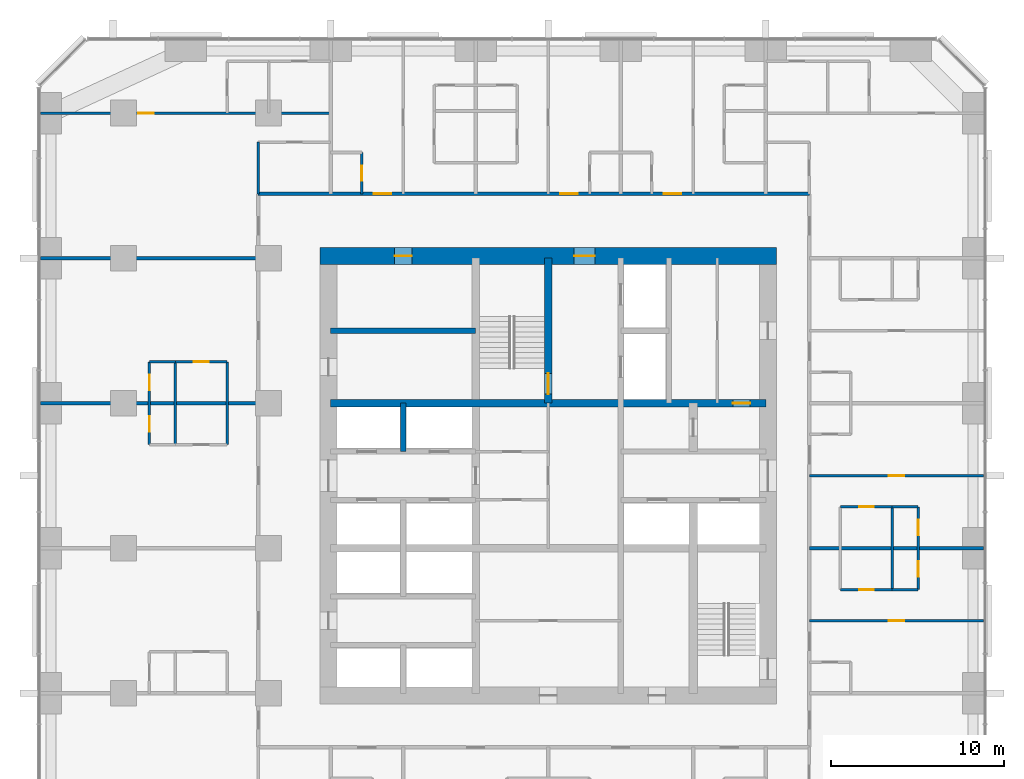
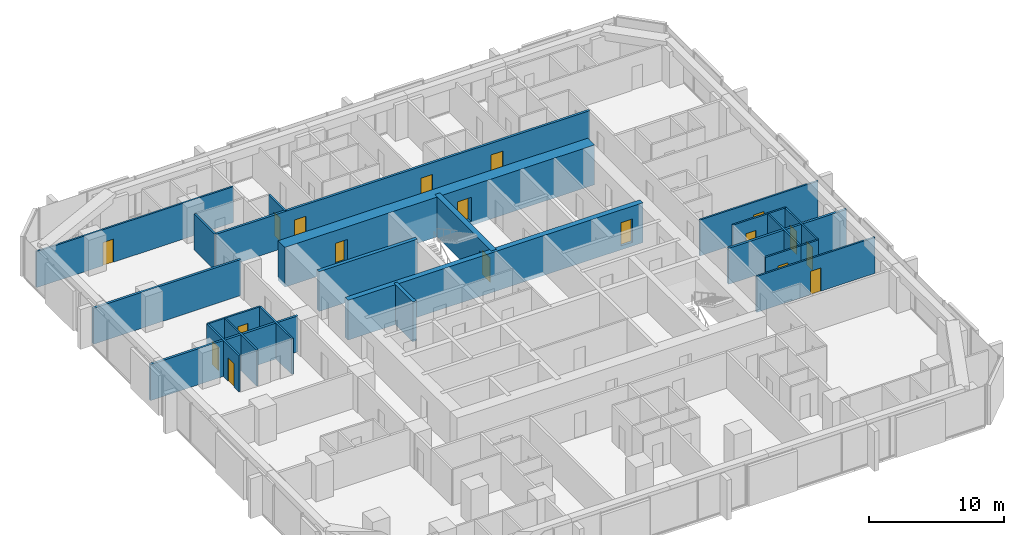
# One storey, part 11 of 14: 25 walls, 18 doors, 18 openings.
"""IFC4 building model written with IfcOpenShell, lengths in metres."""

from ifc_helpers import new_model, si_unit, direction, frame, frame_2d, origin, place, context, subcontext, project, spatial, rectangle, extrude, material, layer, layer_set, type_object, element, fill, save


model = new_model("IFC4")

# Units and contexts
model_context = context("Model", 3, precision=1e-05, world=origin(), true_north=direction((0.0, 1.0)))
body_context = subcontext(model_context, "Body", "Model", "MODEL_VIEW")
ifc_project = project(units=[si_unit("LENGTHUNIT", "METRE"), si_unit("AREAUNIT", "SQUARE_METRE"), si_unit("VOLUMEUNIT", "CUBIC_METRE"), si_unit("PLANEANGLEUNIT", "RADIAN"), si_unit("MASSUNIT", "GRAM", prefix="KILO")], contexts=[model_context])

# Site, building, storey
site_placement = place(None, origin())
site = spatial("IfcSite", under=ifc_project, at=site_placement, CompositionType="ELEMENT")
building_placement = place(site_placement, origin())
building = spatial("IfcBuilding", under=site, at=building_placement, Name="Dunama Terrace Hotel", CompositionType="ELEMENT")
storey_placement = place(building_placement, frame((0.0, 0.0, 122.39990234375)))
storey = spatial("IfcBuildingStorey", under=building, at=storey_placement, Name="L31", CompositionType="ELEMENT", Elevation=122.39990234375)

# Walls
ifc_material_1 = material(Name="Gypsum board partition", Category="masonry")
ifc_layer_1 = layer(ifc_material_1, 0.14990234375)
ifc_layer_set_1 = layer_set([ifc_layer_1], Name="Bathroom partition 150")
wall_type_1 = type_object("IfcWallType", Name="Bathroom partition 150", PredefinedType="PARTITIONING", material=ifc_layer_set_1)
wall_1_placement = place(storey_placement, frame((10.800048828125, 31.199951171875, 0.0), z_axis=(0.0, 0.0, 1.0), x_axis=(0.0, 1.0, 0.0)))
element("IfcWall", 1, at=wall_1_placement, inside=storey, type_object=wall_type_1, Name="Bathroom partition 150 L31", PredefinedType="PARTITIONING", context=body_context, shape_type="SweptSolid", body=[
    extrude(rectangle(XDim=4.800048828125, YDim=0.14990234375, at=frame_2d((2.39990234375, 0.0))), origin(), (0.0, 0.0, 1.0), 3.25),
])
wall_2_placement = place(storey_placement, frame((12.60009765625, 45.72509765625, 0.0), z_axis=(0.0, 0.0, 1.0), x_axis=(0.0, 1.0, 0.0)))
element("IfcWall", 2, at=wall_2_placement, inside=storey, type_object=wall_type_1, Name="Bathroom partition 150 L31", PredefinedType="PARTITIONING", context=body_context, shape_type="SweptSolid", body=[
    extrude(rectangle(XDim=3.0, YDim=0.14990234375, at=frame_2d((1.5, 0.0))), origin(), (0.0, 0.0, 1.0), 3.25),
])

# Wall, opening, door
wall_3_placement = place(storey_placement, frame((18.60009765625, 45.72509765625, 0.0), z_axis=(0.0, 0.0, 1.0), x_axis=(0.0, 1.0, 0.0)))
wall_3 = element("IfcWall", 3, at=wall_3_placement, inside=storey, type_object=wall_type_1, Name="Bathroom partition 150 L31", PredefinedType="PARTITIONING", context=body_context, shape_type="SweptSolid", body=[
    extrude(rectangle(XDim=2.39990234375, YDim=0.14990234375, at=frame_2d((1.199951171875, 0.0))), origin(), (0.0, 0.0, 1.0), 3.25),
])
opening_1_placement = place(wall_3_placement, frame((0.77490234375, 0.0, 0.0)))
opening_1 = element("IfcOpeningElement", 4, at=opening_1_placement, cuts=wall_3, Name="Opening L31-33-039", PredefinedType="OPENING", context=body_context, shape_type="SweptSolid", body=[
    extrude(rectangle(XDim=0.85009765625, YDim=2.10009765625, at=frame_2d((0.425048828125, 1.050048828125))), frame((0.0, 0.0849609375, 0.0), z_axis=(0.0, -1.0, 0.0), x_axis=(1.0, 0.0, 0.0)), (0.0, 0.0, 1.0), 0.169921875),
])
ifc_material_2 = material(Name="Timber door with steel frame", Category="steel")
door_type_1 = type_object("IfcDoorType", Name="Bathroom door 850", OperationType="SINGLE_SWING_LEFT", PredefinedType="DOOR", material=ifc_material_2)
door_1_placement = place(opening_1_placement, origin())
door_1 = element("IfcDoor", 5, at=door_1_placement, inside=storey, type_object=door_type_1, Name="Door to powder room L31-33-039, type D2", OperationType="SINGLE_SWING_LEFT", OverallHeight=2.10009765625, OverallWidth=0.85009765625, PredefinedType="DOOR", context=body_context, shape_type="SweptSolid", body=[
    extrude(rectangle(XDim=0.85009765625, YDim=2.10009765625, at=frame_2d((0.425048828125, 1.050048828125))), frame((0.0, 0.02490234375, 0.0), z_axis=(0.0, -1.0, 0.0), x_axis=(1.0, 0.0, 0.0)), (0.0, 0.0, 1.0), 0.050048828125),
])
fill(opening_1, door_1)

wall_4_placement = place(storey_placement, frame((46.324951171875, 22.800048828125, 0.0), z_axis=(0.0, 0.0, 1.0), x_axis=(1.0, 0.0, 0.0)))
wall_4 = element("IfcWall", 6, at=wall_4_placement, inside=storey, type_object=wall_type_1, Name="Bathroom partition 150 L31", PredefinedType="PARTITIONING", context=body_context, shape_type="SweptSolid", body=[
    extrude(rectangle(XDim=3.0, YDim=0.14990234375, at=frame_2d((1.5, 0.0))), origin(), (0.0, 0.0, 1.0), 3.25),
])
opening_2_placement = place(wall_4_placement, frame((1.074951171875, 0.0, 0.0)))
opening_2 = element("IfcOpeningElement", 7, at=opening_2_placement, cuts=wall_4, Name="Opening L31-33-026", PredefinedType="OPENING", context=body_context, shape_type="SweptSolid", body=[
    extrude(rectangle(XDim=0.85009765625, YDim=2.10009765625, at=frame_2d((0.425048828125, 1.050048828125))), frame((0.0, 0.0849609375, 0.0), z_axis=(0.0, -1.0, 0.0), x_axis=(1.0, 0.0, 0.0)), (0.0, 0.0, 1.0), 0.169921875),
])
door_2_placement = place(opening_2_placement, origin())
door_2 = element("IfcDoor", 8, at=door_2_placement, inside=storey, type_object=door_type_1, Name="Door to en-suite bathroom L31-33-026, type D2", OperationType="SINGLE_SWING_RIGHT", OverallHeight=2.10009765625, OverallWidth=0.85009765625, PredefinedType="DOOR", context=body_context, shape_type="SweptSolid", body=[
    extrude(rectangle(XDim=0.85009765625, YDim=2.10009765625, at=frame_2d((0.425048828125, 1.050048828125))), frame((0.0, 0.02490234375, 0.0), z_axis=(0.0, -1.0, 0.0), x_axis=(1.0, 0.0, 0.0)), (0.0, 0.0, 1.0), 0.050048828125),
])
fill(opening_2, door_2)

wall_5_placement = place(storey_placement, frame((46.324951171875, 27.60009765625, 0.0), z_axis=(0.0, 0.0, 1.0), x_axis=(1.0, 0.0, 0.0)))
wall_5 = element("IfcWall", 9, at=wall_5_placement, inside=storey, type_object=wall_type_1, Name="Bathroom partition 150 L31", PredefinedType="PARTITIONING", context=body_context, shape_type="SweptSolid", body=[
    extrude(rectangle(XDim=3.0, YDim=0.14990234375, at=frame_2d((1.5, 0.0))), origin(), (0.0, 0.0, 1.0), 3.25),
])
opening_3_placement = place(wall_5_placement, frame((1.074951171875, 0.0, 0.0)))
opening_3 = element("IfcOpeningElement", 10, at=opening_3_placement, cuts=wall_5, Name="Opening L31-33-031", PredefinedType="OPENING", context=body_context, shape_type="SweptSolid", body=[
    extrude(rectangle(XDim=0.85009765625, YDim=2.10009765625, at=frame_2d((0.425048828125, 1.050048828125))), frame((0.0, 0.0849609375, 0.0), z_axis=(0.0, -1.0, 0.0), x_axis=(1.0, 0.0, 0.0)), (0.0, 0.0, 1.0), 0.169921875),
])
door_3_placement = place(opening_3_placement, frame((0.85009765625, 0.0, 0.0), z_axis=(0.0, 0.0, 1.0), x_axis=(-1.0, 0.0, 0.0)))
door_3 = element("IfcDoor", 11, at=door_3_placement, inside=storey, type_object=door_type_1, Name="Door to en-suite bathroom L31-33-031, type D2", OperationType="SINGLE_SWING_LEFT", OverallHeight=2.10009765625, OverallWidth=0.85009765625, PredefinedType="DOOR", context=body_context, shape_type="SweptSolid", body=[
    extrude(rectangle(XDim=0.85009765625, YDim=2.10009765625, at=frame_2d((0.425048828125, 1.050048828125))), frame((0.0, 0.025146484375, 0.0), z_axis=(0.0, -1.0, 0.0), x_axis=(1.0, 0.0, 0.0)), (0.0, 0.0, 1.0), 0.050048828125),
])
fill(opening_3, door_3)

wall_6_placement = place(storey_placement, frame((7.800048828125, 36.0, 0.0), z_axis=(0.0, 0.0, 1.0), x_axis=(1.0, 0.0, 0.0)))
wall_6 = element("IfcWall", 12, at=wall_6_placement, inside=storey, type_object=wall_type_1, Name="Bathroom partition 150 L31", PredefinedType="PARTITIONING", context=body_context, shape_type="SweptSolid", body=[
    extrude(rectangle(XDim=3.0, YDim=0.14990234375, at=frame_2d((1.5, 0.0))), origin(), (0.0, 0.0, 1.0), 3.25),
])
opening_4_placement = place(wall_6_placement, frame((1.074951171875, 0.0, 0.0)))
opening_4 = element("IfcOpeningElement", 13, at=opening_4_placement, cuts=wall_6, Name="Opening L31-33-060", PredefinedType="OPENING", context=body_context, shape_type="SweptSolid", body=[
    extrude(rectangle(XDim=0.85009765625, YDim=2.10009765625, at=frame_2d((0.425048828125, 1.050048828125))), frame((0.0, 0.0849609375, 0.0), z_axis=(0.0, -1.0, 0.0), x_axis=(1.0, 0.0, 0.0)), (0.0, 0.0, 1.0), 0.169921875),
])
door_4_placement = place(opening_4_placement, frame((0.85009765625, 0.0, 0.0), z_axis=(0.0, 0.0, 1.0), x_axis=(-1.0, 0.0, 0.0)))
door_4 = element("IfcDoor", 14, at=door_4_placement, inside=storey, type_object=door_type_1, Name="Door to en-suite bathroom L31-33-060, type D2", OperationType="SINGLE_SWING_RIGHT", OverallHeight=2.10009765625, OverallWidth=0.85009765625, PredefinedType="DOOR", context=body_context, shape_type="SweptSolid", body=[
    extrude(rectangle(XDim=0.85009765625, YDim=2.10009765625, at=frame_2d((0.425048828125, 1.050048828125))), frame((0.0, 0.025146484375, 0.0), z_axis=(0.0, -1.0, 0.0), x_axis=(1.0, 0.0, 0.0)), (0.0, 0.0, 1.0), 0.050048828125),
])
fill(opening_4, door_4)

# Walls
ifc_material_3 = material(Name="Concrete C50/60", Category="concrete")
ifc_layer_2 = layer(ifc_material_3, 0.300048828125)
ifc_layer_set_2 = layer_set([ifc_layer_2], Name="Core inner wall 300")
wall_type_2 = type_object("IfcWallType", Name="Core inner wall 300", PredefinedType="SHEAR", material=ifc_layer_set_2)
wall_7_placement = place(storey_placement, frame((21.0, 30.800048828125, -0.349853515625), z_axis=(0.0, 0.0, 1.0), x_axis=(0.0, 1.0, 0.0)))
element("IfcWall", 15, at=wall_7_placement, inside=storey, type_object=wall_type_2, Name="Core inner wall 300 L31", PredefinedType="SHEAR", context=body_context, shape_type="SweptSolid", body=[
    extrude(rectangle(XDim=2.800048828125, YDim=0.300048828125, at=frame_2d((1.39990234375, 0.0))), origin(), (0.0, 0.0, 1.0), 3.599853515625),
])
wall_8_placement = place(storey_placement, frame((16.800048828125, 37.800048828125, -0.349853515625), z_axis=(0.0, 0.0, 1.0), x_axis=(1.0, 0.0, 0.0)))
element("IfcWall", 16, at=wall_8_placement, inside=storey, type_object=wall_type_2, Name="Core inner wall 300 L31", PredefinedType="SHEAR", context=body_context, shape_type="SweptSolid", body=[
    extrude(rectangle(XDim=8.39990234375, YDim=0.300048828125, at=frame_2d((4.199951171875, 0.0))), origin(), (0.0, 0.0, 1.0), 3.599853515625),
])

# Wall, opening, door
ifc_material_4 = material(Name="Concrete C50/60", Category="concrete")
ifc_layer_3 = layer(ifc_material_4, 0.449951171875)
ifc_layer_set_3 = layer_set([ifc_layer_3], Name="Core inner wall 450")
wall_type_3 = type_object("IfcWallType", Name="Core inner wall 450", PredefinedType="SHEAR", material=ifc_layer_set_3)
wall_9_placement = place(storey_placement, frame((29.39990234375, 33.60009765625, -0.349853515625), z_axis=(0.0, 0.0, 1.0), x_axis=(0.0, 1.0, 0.0)))
wall_9 = element("IfcWall", 17, at=wall_9_placement, inside=storey, type_object=wall_type_3, Name="Core inner wall 450 L31", PredefinedType="SHEAR", context=body_context, shape_type="SweptSolid", body=[
    extrude(rectangle(XDim=8.39990234375, YDim=0.449951171875, at=frame_2d((4.199951171875, 0.0))), origin(), (0.0, 0.0, 1.0), 3.599853515625),
])
opening_5_placement = place(wall_9_placement, frame((0.52490234375, 0.0, 0.35009765625)))
opening_5 = element("IfcOpeningElement", 18, at=opening_5_placement, cuts=wall_9, Name="Opening L31-33-001", PredefinedType="OPENING", context=body_context, shape_type="SweptSolid", body=[
    extrude(rectangle(XDim=1.199951171875, YDim=2.199951171875, at=frame_2d((0.60009765625, 1.10009765625))), frame((0.0, 0.23486328125, 0.0), z_axis=(0.0, -1.0, 0.0), x_axis=(1.0, 0.0, 0.0)), (0.0, 0.0, 1.0), 0.469970703125),
])
ifc_material_5 = material(Name="Timber door with steel frame", Category="steel")
door_type_2 = type_object("IfcDoorType", Name="Stair door 1200", OperationType="SINGLE_SWING_LEFT", PredefinedType="DOOR", material=ifc_material_5)
door_5_placement = place(opening_5_placement, origin())
door_5 = element("IfcDoor", 19, at=door_5_placement, inside=storey, type_object=door_type_2, Name="Stair door ST1 L31-33-001, type D5", OperationType="SINGLE_SWING_LEFT", OverallHeight=2.199951171875, OverallWidth=1.199951171875, PredefinedType="DOOR", context=body_context, shape_type="SweptSolid", body=[
    extrude(rectangle(XDim=1.199951171875, YDim=2.199951171875, at=frame_2d((0.60009765625, 1.10009765625))), frame((0.0, 0.02490234375, 0.0), z_axis=(0.0, -1.0, 0.0), x_axis=(1.0, 0.0, 0.0)), (0.0, 0.0, 1.0), 0.050048828125),
])
fill(opening_5, door_5)

wall_10_placement = place(storey_placement, frame((16.800048828125, 33.60009765625, -0.349853515625), z_axis=(0.0, 0.0, 1.0), x_axis=(1.0, 0.0, 0.0)))
wall_10 = element("IfcWall", 20, at=wall_10_placement, inside=storey, type_object=wall_type_3, Name="Core inner wall 450 L31", PredefinedType="SHEAR", context=body_context, shape_type="SweptSolid", body=[
    extrude(rectangle(XDim=25.199951171875, YDim=0.449951171875, at=frame_2d((12.60009765625, 0.0))), origin(), (0.0, 0.0, 1.0), 3.599853515625),
])
opening_6_placement = place(wall_10_placement, frame((23.300048828125, 0.0, 0.35009765625)))
opening_6 = element("IfcOpeningElement", 21, at=opening_6_placement, cuts=wall_10, Name="Opening L31-33-091", PredefinedType="OPENING", context=body_context, shape_type="SweptSolid", body=[
    extrude(rectangle(XDim=1.0, YDim=2.10009765625, at=frame_2d((0.5, 1.050048828125))), frame((0.0, 0.23486328125, 0.0), z_axis=(0.0, -1.0, 0.0), x_axis=(1.0, 0.0, 0.0)), (0.0, 0.0, 1.0), 0.469970703125),
])
ifc_material_6 = material(Name="Timber door with steel frame", Category="steel")
door_type_3 = type_object("IfcDoorType", Name="Service door 1000", OperationType="SINGLE_SWING_LEFT", PredefinedType="DOOR", material=ifc_material_6)
door_6_placement = place(opening_6_placement, frame((1.0, 0.0, 0.0), z_axis=(0.0, 0.0, 1.0), x_axis=(-1.0, 0.0, 0.0)))
door_6 = element("IfcDoor", 22, at=door_6_placement, inside=storey, type_object=door_type_3, Name="Door to housekeeping and linen store L31-33-091, type D7", OperationType="SINGLE_SWING_LEFT", OverallHeight=2.10009765625, OverallWidth=1.0, PredefinedType="DOOR", context=body_context, shape_type="SweptSolid", body=[
    extrude(rectangle(XDim=1.0, YDim=2.10009765625, at=frame_2d((0.5, 1.050048828125))), frame((0.0, 0.025146484375, 0.0), z_axis=(0.0, -1.0, 0.0), x_axis=(1.0, 0.0, 0.0)), (0.0, 0.0, 1.0), 0.050048828125),
])
fill(opening_6, door_6)

# Wall, openings, doors
ifc_material_7 = material(Name="Concrete C60/75", Category="concrete")
ifc_layer_4 = layer(ifc_material_7, 1.0)
ifc_layer_set_4 = layer_set([ifc_layer_4], Name="Core wall 1000")
wall_type_4 = type_object("IfcWallType", Name="Core wall 1000", PredefinedType="SHEAR", material=ifc_layer_set_4)
wall_11_placement = place(storey_placement, frame((42.625, 42.125, -0.349853515625), z_axis=(0.0, 0.0, 1.0), x_axis=(-1.0, 0.0, 0.0)))
wall_11 = element("IfcWall", 23, at=wall_11_placement, inside=storey, type_object=wall_type_4, Name="Core wall north L31", PredefinedType="SHEAR", context=body_context, shape_type="SweptSolid", body=[
    extrude(rectangle(XDim=26.449951171875, YDim=1.0, at=frame_2d((13.22509765625, 0.0))), origin(), (0.0, 0.0, 1.0), 3.599853515625),
])
opening_7_placement = place(wall_11_placement, frame((21.125, 0.0, 0.35009765625)))
opening_7 = element("IfcOpeningElement", 24, at=opening_7_placement, cuts=wall_11, Name="Opening L31-33-085", PredefinedType="OPENING", context=body_context, shape_type="SweptSolid", body=[
    extrude(rectangle(XDim=1.0, YDim=2.10009765625, at=frame_2d((0.5, 1.050048828125))), frame((0.0, 0.510009765625, 0.0), z_axis=(0.0, -1.0, 0.0), x_axis=(1.0, 0.0, 0.0)), (0.0, 0.0, 1.0), 1.02001953125),
])
opening_8_placement = place(wall_11_placement, frame((10.52490234375, 0.0, 0.35009765625)))
opening_8 = element("IfcOpeningElement", 25, at=opening_8_placement, cuts=wall_11, Name="Opening L31-33-093", PredefinedType="OPENING", context=body_context, shape_type="SweptSolid", body=[
    extrude(rectangle(XDim=1.199951171875, YDim=2.199951171875, at=frame_2d((0.60009765625, 1.10009765625))), frame((0.0, 0.510009765625, 0.0), z_axis=(0.0, -1.0, 0.0), x_axis=(1.0, 0.0, 0.0)), (0.0, 0.0, 1.0), 1.02001953125),
])
ifc_material_8 = material(Name="Timber door with steel frame", Category="steel")
door_type_4 = type_object("IfcDoorType", Name="Firefighting lobby door 1200", OperationType="SINGLE_SWING_LEFT", PredefinedType="DOOR", material=ifc_material_8)
door_7_placement = place(opening_8_placement, origin())
door_7 = element("IfcDoor", 26, at=door_7_placement, inside=storey, type_object=door_type_4, Name="Door to firefighting lobby L31-33-093, type D4", OperationType="SINGLE_SWING_RIGHT", OverallHeight=2.199951171875, OverallWidth=1.199951171875, PredefinedType="DOOR", context=body_context, shape_type="SweptSolid", body=[
    extrude(rectangle(XDim=1.199951171875, YDim=2.199951171875, at=frame_2d((0.60009765625, 1.10009765625))), frame((0.0, 0.02490234375, 0.0), z_axis=(0.0, -1.0, 0.0), x_axis=(1.0, 0.0, 0.0)), (0.0, 0.0, 1.0), 0.050048828125),
])
fill(opening_8, door_7)
door_8_placement = place(opening_7_placement, origin())
door_8 = element("IfcDoor", 27, at=door_8_placement, inside=storey, type_object=door_type_3, Name="Door to communications and riser room L31-33-085, type D7", OperationType="SINGLE_SWING_LEFT", OverallHeight=2.10009765625, OverallWidth=1.0, PredefinedType="DOOR", context=body_context, shape_type="SweptSolid", body=[
    extrude(rectangle(XDim=1.0, YDim=2.10009765625, at=frame_2d((0.5, 1.050048828125))), frame((0.0, 0.02490234375, 0.0), z_axis=(0.0, -1.0, 0.0), x_axis=(1.0, 0.0, 0.0)), (0.0, 0.0, 1.0), 0.050048828125),
])
fill(opening_7, door_8)

ifc_material_9 = material(Name="Concrete blockwork", Category="masonry")
ifc_layer_5 = layer(ifc_material_9, 0.199951171875)
ifc_layer_set_5 = layer_set([ifc_layer_5], Name="Corridor partition 200")
wall_type_5 = type_object("IfcWallType", Name="Corridor partition 200", PredefinedType="PARTITIONING", material=ifc_layer_set_5)
wall_12_placement = place(storey_placement, frame((12.60009765625, 45.72509765625, 0.0), z_axis=(0.0, 0.0, 1.0), x_axis=(1.0, 0.0, 0.0)))
wall_12 = element("IfcWall", 28, at=wall_12_placement, inside=storey, type_object=wall_type_5, Name="Corridor partition 200 L31", PredefinedType="PARTITIONING", context=body_context, shape_type="SweptSolid", body=[
    extrude(rectangle(XDim=31.9248046875, YDim=0.199951171875, at=frame_2d((15.96240234375, 0.0))), origin(), (0.0, 0.0, 1.0), 3.25),
])
opening_9_placement = place(wall_12_placement, frame((6.699951171875, 0.0, 0.0)))
opening_9 = element("IfcOpeningElement", 29, at=opening_9_placement, cuts=wall_12, Name="Opening L31-33-038", PredefinedType="OPENING", context=body_context, shape_type="SweptSolid", body=[
    extrude(rectangle(XDim=1.0, YDim=2.199951171875, at=frame_2d((0.5, 1.10009765625))), frame((0.0, 0.10986328125, 0.0), z_axis=(0.0, -1.0, 0.0), x_axis=(1.0, 0.0, 0.0)), (0.0, 0.0, 1.0), 0.219970703125),
])
opening_10_placement = place(wall_12_placement, frame((17.5, 0.0, 0.0)))
opening_10 = element("IfcOpeningElement", 30, at=opening_10_placement, cuts=wall_12, Name="Opening L31-33-043", PredefinedType="OPENING", context=body_context, shape_type="SweptSolid", body=[
    extrude(rectangle(XDim=1.0, YDim=2.199951171875, at=frame_2d((0.5, 1.10009765625))), frame((0.0, 0.10986328125, 0.0), z_axis=(0.0, -1.0, 0.0), x_axis=(1.0, 0.0, 0.0)), (0.0, 0.0, 1.0), 0.219970703125),
])
opening_11_placement = place(wall_12_placement, frame((23.5, 0.0, 0.0)))
opening_11 = element("IfcOpeningElement", 31, at=opening_11_placement, cuts=wall_12, Name="Opening L31-33-048", PredefinedType="OPENING", context=body_context, shape_type="SweptSolid", body=[
    extrude(rectangle(XDim=1.0, YDim=2.199951171875, at=frame_2d((0.5, 1.10009765625))), frame((0.0, 0.10986328125, 0.0), z_axis=(0.0, -1.0, 0.0), x_axis=(1.0, 0.0, 0.0)), (0.0, 0.0, 1.0), 0.219970703125),
])
ifc_material_10 = material(Name="Timber door with steel frame", Category="steel")
door_type_5 = type_object("IfcDoorType", Name="Guest room door 1000", OperationType="SINGLE_SWING_LEFT", PredefinedType="DOOR", material=ifc_material_10)
door_9_placement = place(opening_9_placement, origin())
door_9 = element("IfcDoor", 32, at=door_9_placement, inside=storey, type_object=door_type_5, Name="Door to premier suite living room L31-33-038, type D1", OperationType="SINGLE_SWING_LEFT", OverallHeight=2.199951171875, OverallWidth=1.0, PredefinedType="DOOR", context=body_context, shape_type="SweptSolid", body=[
    extrude(rectangle(XDim=1.0, YDim=2.199951171875, at=frame_2d((0.5, 1.10009765625))), frame((0.0, 0.02490234375, 0.0), z_axis=(0.0, -1.0, 0.0), x_axis=(1.0, 0.0, 0.0)), (0.0, 0.0, 1.0), 0.050048828125),
])
fill(opening_9, door_9)
door_10_placement = place(opening_10_placement, origin())
door_10 = element("IfcDoor", 33, at=door_10_placement, inside=storey, type_object=door_type_5, Name="Door to premier suite living room L31-33-043, type D1", OperationType="SINGLE_SWING_RIGHT", OverallHeight=2.199951171875, OverallWidth=1.0, PredefinedType="DOOR", context=body_context, shape_type="SweptSolid", body=[
    extrude(rectangle(XDim=1.0, YDim=2.199951171875, at=frame_2d((0.5, 1.10009765625))), frame((0.0, 0.02490234375, 0.0), z_axis=(0.0, -1.0, 0.0), x_axis=(1.0, 0.0, 0.0)), (0.0, 0.0, 1.0), 0.050048828125),
])
fill(opening_10, door_10)
door_11_placement = place(opening_11_placement, origin())
door_11 = element("IfcDoor", 34, at=door_11_placement, inside=storey, type_object=door_type_5, Name="Door to premier suite living room L31-33-048, type D1", OperationType="SINGLE_SWING_RIGHT", OverallHeight=2.199951171875, OverallWidth=1.0, PredefinedType="DOOR", context=body_context, shape_type="SweptSolid", body=[
    extrude(rectangle(XDim=1.0, YDim=2.199951171875, at=frame_2d((0.5, 1.10009765625))), frame((0.0, 0.02490234375, 0.0), z_axis=(0.0, -1.0, 0.0), x_axis=(1.0, 0.0, 0.0)), (0.0, 0.0, 1.0), 0.050048828125),
])
fill(opening_11, door_11)

# Walls
ifc_material_11 = material(Name="Concrete blockwork", Category="masonry")
ifc_layer_6 = layer(ifc_material_11, 0.199951171875)
ifc_layer_set_6 = layer_set([ifc_layer_6], Name="Party wall 200")
wall_type_6 = type_object("IfcWallType", Name="Party wall 200", PredefinedType="PARTITIONING", material=ifc_layer_set_6)
wall_13_placement = place(storey_placement, frame((44.52490234375, 25.199951171875, 0.0), z_axis=(0.0, 0.0, 1.0), x_axis=(1.0, 0.0, 0.0)))
element("IfcWall", 35, at=wall_13_placement, inside=storey, type_object=wall_type_6, Name="Party wall 200 L31", PredefinedType="PARTITIONING", context=body_context, shape_type="SweptSolid", body=[
    extrude(rectangle(XDim=10.093017578125, YDim=0.199951171875, at=frame_2d((5.04638671875, 0.0))), origin(), (0.0, 0.0, 1.0), 3.25),
])
for number, where, z_axis, x_axis, name in (
    (36, (-0.01806640625, 33.60009765625, 0.0), (0.0, 0.0, 1.0), (1.0, 0.0, 0.0), "Party wall 200 L31"),
    (37, (-0.01806640625, 42.0, 0.0), (0.0, 0.0, 1.0), (1.0, 0.0, 0.0), "Party wall 200 L31"),
):
    element("IfcWall", number, at=place(storey_placement, frame(where, z_axis=z_axis, x_axis=x_axis)), inside=storey, type_object=wall_type_6, Name=name, PredefinedType="PARTITIONING", context=body_context, shape_type="SweptSolid", body=[
        extrude(rectangle(XDim=12.6181640625, YDim=0.199951171875, at=frame_2d((6.30908203125, 0.0))), origin(), (0.0, 0.0, 1.0), 3.25),
    ])

# Wall, openings, doors
ifc_material_12 = material(Name="Gypsum board partition", Category="masonry")
ifc_layer_7 = layer(ifc_material_12, 0.14990234375)
ifc_layer_set_7 = layer_set([ifc_layer_7], Name="Room partition 150")
wall_type_7 = type_object("IfcWallType", Name="Room partition 150", PredefinedType="PARTITIONING", material=ifc_layer_set_7)
wall_14_placement = place(storey_placement, frame((6.300048828125, 31.199951171875, 0.0), z_axis=(0.0, 0.0, 1.0), x_axis=(0.0, 1.0, 0.0)))
wall_14 = element("IfcWall", 38, at=wall_14_placement, inside=storey, type_object=wall_type_7, Name="Room partition 150 L31", PredefinedType="PARTITIONING", context=body_context, shape_type="SweptSolid", body=[
    extrude(rectangle(XDim=4.800048828125, YDim=0.14990234375, at=frame_2d((2.39990234375, 0.0))), origin(), (0.0, 0.0, 1.0), 3.25),
])
opening_12_placement = place(wall_14_placement, frame((0.75, 0.0, 0.0)))
opening_12 = element("IfcOpeningElement", 39, at=opening_12_placement, cuts=wall_14, Name="Opening L31-33-058", PredefinedType="OPENING", context=body_context, shape_type="SweptSolid", body=[
    extrude(rectangle(XDim=0.89990234375, YDim=2.10009765625, at=frame_2d((0.449951171875, 1.050048828125))), frame((0.0, 0.0849609375, 0.0), z_axis=(0.0, -1.0, 0.0), x_axis=(1.0, 0.0, 0.0)), (0.0, 0.0, 1.0), 0.169921875),
])
opening_13_placement = place(wall_14_placement, frame((3.14990234375, 0.0, 0.0)))
opening_13 = element("IfcOpeningElement", 40, at=opening_13_placement, cuts=wall_14, Name="Opening L31-33-061", PredefinedType="OPENING", context=body_context, shape_type="SweptSolid", body=[
    extrude(rectangle(XDim=0.89990234375, YDim=2.10009765625, at=frame_2d((0.449951171875, 1.050048828125))), frame((0.0, 0.0849609375, 0.0), z_axis=(0.0, -1.0, 0.0), x_axis=(1.0, 0.0, 0.0)), (0.0, 0.0, 1.0), 0.169921875),
])
ifc_material_13 = material(Name="Timber door with steel frame", Category="steel")
door_type_6 = type_object("IfcDoorType", Name="Suite internal door 900", OperationType="SINGLE_SWING_LEFT", PredefinedType="DOOR", material=ifc_material_13)
door_12_placement = place(opening_12_placement, frame((0.89990234375, 0.0, 0.0), z_axis=(0.0, 0.0, 1.0), x_axis=(-1.0, 0.0, 0.0)))
door_12 = element("IfcDoor", 41, at=door_12_placement, inside=storey, type_object=door_type_6, Name="Door to walk-in wardrobe L31-33-058, type D16", OperationType="SINGLE_SWING_RIGHT", OverallHeight=2.10009765625, OverallWidth=0.89990234375, PredefinedType="DOOR", context=body_context, shape_type="SweptSolid", body=[
    extrude(rectangle(XDim=0.89990234375, YDim=2.10009765625, at=frame_2d((0.449951171875, 1.050048828125))), frame((0.0, 0.025146484375, 0.0), z_axis=(0.0, -1.0, 0.0), x_axis=(1.0, 0.0, 0.0)), (0.0, 0.0, 1.0), 0.050048828125),
])
fill(opening_12, door_12)
door_13_placement = place(opening_13_placement, frame((0.89990234375, 0.0, 0.0), z_axis=(0.0, 0.0, 1.0), x_axis=(-1.0, 0.0, 0.0)))
door_13 = element("IfcDoor", 42, at=door_13_placement, inside=storey, type_object=door_type_6, Name="Door to walk-in wardrobe L31-33-061, type D16", OperationType="SINGLE_SWING_RIGHT", OverallHeight=2.10009765625, OverallWidth=0.89990234375, PredefinedType="DOOR", context=body_context, shape_type="SweptSolid", body=[
    extrude(rectangle(XDim=0.89990234375, YDim=2.10009765625, at=frame_2d((0.449951171875, 1.050048828125))), frame((0.0, 0.025146484375, 0.0), z_axis=(0.0, -1.0, 0.0), x_axis=(1.0, 0.0, 0.0)), (0.0, 0.0, 1.0), 0.050048828125),
])
fill(opening_13, door_13)

# Walls
for number, where, z_axis, x_axis, name in (
    (43, (7.800048828125, 31.199951171875, 0.0), (0.0, 0.0, 1.0), (0.0, 1.0, 0.0), "Room partition 150 L31"),
    (44, (49.324951171875, 22.800048828125, 0.0), (0.0, 0.0, 1.0), (0.0, 1.0, 0.0), "Room partition 150 L31"),
):
    element("IfcWall", number, at=place(storey_placement, frame(where, z_axis=z_axis, x_axis=x_axis)), inside=storey, type_object=wall_type_7, Name=name, PredefinedType="PARTITIONING", context=body_context, shape_type="SweptSolid", body=[
        extrude(rectangle(XDim=4.800048828125, YDim=0.14990234375, at=frame_2d((2.39990234375, 0.0))), origin(), (0.0, 0.0, 1.0), 3.25),
    ])

# Wall, openings, doors
wall_15_placement = place(storey_placement, frame((50.824951171875, 22.800048828125, 0.0), z_axis=(0.0, 0.0, 1.0), x_axis=(0.0, 1.0, 0.0)))
wall_15 = element("IfcWall", 45, at=wall_15_placement, inside=storey, type_object=wall_type_7, Name="Room partition 150 L31", PredefinedType="PARTITIONING", context=body_context, shape_type="SweptSolid", body=[
    extrude(rectangle(XDim=4.800048828125, YDim=0.14990234375, at=frame_2d((2.39990234375, 0.0))), origin(), (0.0, 0.0, 1.0), 3.25),
])
opening_14_placement = place(wall_15_placement, frame((0.75, 0.0, 0.0)))
opening_14 = element("IfcOpeningElement", 46, at=opening_14_placement, cuts=wall_15, Name="Opening L31-33-027", PredefinedType="OPENING", context=body_context, shape_type="SweptSolid", body=[
    extrude(rectangle(XDim=0.89990234375, YDim=2.10009765625, at=frame_2d((0.449951171875, 1.050048828125))), frame((0.0, 0.0849609375, 0.0), z_axis=(0.0, -1.0, 0.0), x_axis=(1.0, 0.0, 0.0)), (0.0, 0.0, 1.0), 0.169921875),
])
opening_15_placement = place(wall_15_placement, frame((3.14990234375, 0.0, 0.0)))
opening_15 = element("IfcOpeningElement", 47, at=opening_15_placement, cuts=wall_15, Name="Opening L31-33-032", PredefinedType="OPENING", context=body_context, shape_type="SweptSolid", body=[
    extrude(rectangle(XDim=0.89990234375, YDim=2.10009765625, at=frame_2d((0.449951171875, 1.050048828125))), frame((0.0, 0.0849609375, 0.0), z_axis=(0.0, -1.0, 0.0), x_axis=(1.0, 0.0, 0.0)), (0.0, 0.0, 1.0), 0.169921875),
])
door_14_placement = place(opening_14_placement, origin())
door_14 = element("IfcDoor", 48, at=door_14_placement, inside=storey, type_object=door_type_6, Name="Door to walk-in wardrobe L31-33-027, type D16", OperationType="SINGLE_SWING_LEFT", OverallHeight=2.10009765625, OverallWidth=0.89990234375, PredefinedType="DOOR", context=body_context, shape_type="SweptSolid", body=[
    extrude(rectangle(XDim=0.89990234375, YDim=2.10009765625, at=frame_2d((0.449951171875, 1.050048828125))), frame((0.0, 0.02490234375, 0.0), z_axis=(0.0, -1.0, 0.0), x_axis=(1.0, 0.0, 0.0)), (0.0, 0.0, 1.0), 0.050048828125),
])
fill(opening_14, door_14)
door_15_placement = place(opening_15_placement, origin())
door_15 = element("IfcDoor", 49, at=door_15_placement, inside=storey, type_object=door_type_6, Name="Door to walk-in wardrobe L31-33-032, type D16", OperationType="SINGLE_SWING_LEFT", OverallHeight=2.10009765625, OverallWidth=0.89990234375, PredefinedType="DOOR", context=body_context, shape_type="SweptSolid", body=[
    extrude(rectangle(XDim=0.89990234375, YDim=2.10009765625, at=frame_2d((0.449951171875, 1.050048828125))), frame((0.0, 0.02490234375, 0.0), z_axis=(0.0, -1.0, 0.0), x_axis=(1.0, 0.0, 0.0)), (0.0, 0.0, 1.0), 0.050048828125),
])
fill(opening_15, door_15)

# Wall, opening, door
wall_16_placement = place(storey_placement, frame((44.52490234375, 21.0, 0.0), z_axis=(0.0, 0.0, 1.0), x_axis=(1.0, 0.0, 0.0)))
wall_16 = element("IfcWall", 50, at=wall_16_placement, inside=storey, type_object=wall_type_7, Name="Room partition 150 L31", PredefinedType="PARTITIONING", context=body_context, shape_type="SweptSolid", body=[
    extrude(rectangle(XDim=10.093017578125, YDim=0.14990234375, at=frame_2d((5.04638671875, 0.0))), origin(), (0.0, 0.0, 1.0), 3.25),
])
opening_16_placement = place(wall_16_placement, frame((4.5869140625, 0.0, 0.0)))
opening_16 = element("IfcOpeningElement", 51, at=opening_16_placement, cuts=wall_16, Name="Opening L31-33-025", PredefinedType="OPENING", context=body_context, shape_type="SweptSolid", body=[
    extrude(rectangle(XDim=0.89990234375, YDim=2.10009765625, at=frame_2d((0.449951171875, 1.050048828125))), frame((0.0, 0.0849609375, 0.0), z_axis=(0.0, -1.0, 0.0), x_axis=(1.0, 0.0, 0.0)), (0.0, 0.0, 1.0), 0.169921875),
])
door_16_placement = place(opening_16_placement, origin())
door_16 = element("IfcDoor", 52, at=door_16_placement, inside=storey, type_object=door_type_6, Name="Door to executive suite bedroom L31-33-025, type D16", OperationType="SINGLE_SWING_LEFT", OverallHeight=2.10009765625, OverallWidth=0.89990234375, PredefinedType="DOOR", context=body_context, shape_type="SweptSolid", body=[
    extrude(rectangle(XDim=0.89990234375, YDim=2.10009765625, at=frame_2d((0.449951171875, 1.050048828125))), frame((0.0, 0.02490234375, 0.0), z_axis=(0.0, -1.0, 0.0), x_axis=(1.0, 0.0, 0.0)), (0.0, 0.0, 1.0), 0.050048828125),
])
fill(opening_16, door_16)

# Walls
for number, where, z_axis, x_axis, name in (
    (53, (49.324951171875, 22.800048828125, 0.0), (0.0, 0.0, 1.0), (1.0, 0.0, 0.0), "Room partition 150 L31"),
    (54, (49.324951171875, 27.60009765625, 0.0), (0.0, 0.0, 1.0), (1.0, 0.0, 0.0), "Room partition 150 L31"),
):
    element("IfcWall", number, at=place(storey_placement, frame(where, z_axis=z_axis, x_axis=x_axis)), inside=storey, type_object=wall_type_7, Name=name, PredefinedType="PARTITIONING", context=body_context, shape_type="SweptSolid", body=[
        extrude(rectangle(XDim=1.5, YDim=0.14990234375, at=frame_2d((0.75, 0.0))), origin(), (0.0, 0.0, 1.0), 3.25),
    ])

# Wall, opening, door
wall_17_placement = place(storey_placement, frame((44.52490234375, 29.39990234375, 0.0), z_axis=(0.0, 0.0, 1.0), x_axis=(1.0, 0.0, 0.0)))
wall_17 = element("IfcWall", 55, at=wall_17_placement, inside=storey, type_object=wall_type_7, Name="Room partition 150 L31", PredefinedType="PARTITIONING", context=body_context, shape_type="SweptSolid", body=[
    extrude(rectangle(XDim=10.093017578125, YDim=0.14990234375, at=frame_2d((5.04638671875, 0.0))), origin(), (0.0, 0.0, 1.0), 3.25),
])
opening_17_placement = place(wall_17_placement, frame((4.5869140625, 0.0, 0.0)))
opening_17 = element("IfcOpeningElement", 56, at=opening_17_placement, cuts=wall_17, Name="Opening L31-33-030", PredefinedType="OPENING", context=body_context, shape_type="SweptSolid", body=[
    extrude(rectangle(XDim=0.89990234375, YDim=2.10009765625, at=frame_2d((0.449951171875, 1.050048828125))), frame((0.0, 0.0849609375, 0.0), z_axis=(0.0, -1.0, 0.0), x_axis=(1.0, 0.0, 0.0)), (0.0, 0.0, 1.0), 0.169921875),
])
door_17_placement = place(opening_17_placement, frame((0.89990234375, 0.0, 0.0), z_axis=(0.0, 0.0, 1.0), x_axis=(-1.0, 0.0, 0.0)))
door_17 = element("IfcDoor", 57, at=door_17_placement, inside=storey, type_object=door_type_6, Name="Door to executive suite bedroom L31-33-030, type D16", OperationType="SINGLE_SWING_RIGHT", OverallHeight=2.10009765625, OverallWidth=0.89990234375, PredefinedType="DOOR", context=body_context, shape_type="SweptSolid", body=[
    extrude(rectangle(XDim=0.89990234375, YDim=2.10009765625, at=frame_2d((0.449951171875, 1.050048828125))), frame((0.0, 0.025146484375, 0.0), z_axis=(0.0, -1.0, 0.0), x_axis=(1.0, 0.0, 0.0)), (0.0, 0.0, 1.0), 0.050048828125),
])
fill(opening_17, door_17)

# Wall
wall_18_placement = place(storey_placement, frame((6.300048828125, 36.0, 0.0), z_axis=(0.0, 0.0, 1.0), x_axis=(1.0, 0.0, 0.0)))
element("IfcWall", 58, at=wall_18_placement, inside=storey, type_object=wall_type_7, Name="Room partition 150 L31", PredefinedType="PARTITIONING", context=body_context, shape_type="SweptSolid", body=[
    extrude(rectangle(XDim=1.5, YDim=0.14990234375, at=frame_2d((0.75, 0.0))), origin(), (0.0, 0.0, 1.0), 3.25),
])

# Wall, opening, door
wall_19_placement = place(storey_placement, frame((-0.01806640625, 50.39990234375, 0.0), z_axis=(0.0, 0.0, 1.0), x_axis=(1.0, 0.0, 0.0)))
wall_19 = element("IfcWall", 59, at=wall_19_placement, inside=storey, type_object=wall_type_7, Name="Room partition 150 L31", PredefinedType="PARTITIONING", context=body_context, shape_type="SweptSolid", body=[
    extrude(rectangle(XDim=16.818115234375, YDim=0.14990234375, at=frame_2d((8.4091796875, 0.0))), origin(), (0.0, 0.0, 1.0), 3.25),
])
opening_18_placement = place(wall_19_placement, frame((5.66796875, 0.0, 0.0)))
opening_18 = element("IfcOpeningElement", 60, at=opening_18_placement, cuts=wall_19, Name="Opening L31-33-079", PredefinedType="OPENING", context=body_context, shape_type="SweptSolid", body=[
    extrude(rectangle(XDim=0.89990234375, YDim=2.10009765625, at=frame_2d((0.449951171875, 1.050048828125))), frame((0.0, 0.0849609375, 0.0), z_axis=(0.0, -1.0, 0.0), x_axis=(1.0, 0.0, 0.0)), (0.0, 0.0, 1.0), 0.169921875),
])
door_18_placement = place(opening_18_placement, origin())
door_18 = element("IfcDoor", 61, at=door_18_placement, inside=storey, type_object=door_type_6, Name="Door to corner suite bedroom L31-33-079, type D16", OperationType="SINGLE_SWING_LEFT", OverallHeight=2.10009765625, OverallWidth=0.89990234375, PredefinedType="DOOR", context=body_context, shape_type="SweptSolid", body=[
    extrude(rectangle(XDim=0.89990234375, YDim=2.10009765625, at=frame_2d((0.449951171875, 1.050048828125))), frame((0.0, 0.02490234375, 0.0), z_axis=(0.0, -1.0, 0.0), x_axis=(1.0, 0.0, 0.0)), (0.0, 0.0, 1.0), 0.050048828125),
])
fill(opening_18, door_18)

save(model, "model.ifc")
